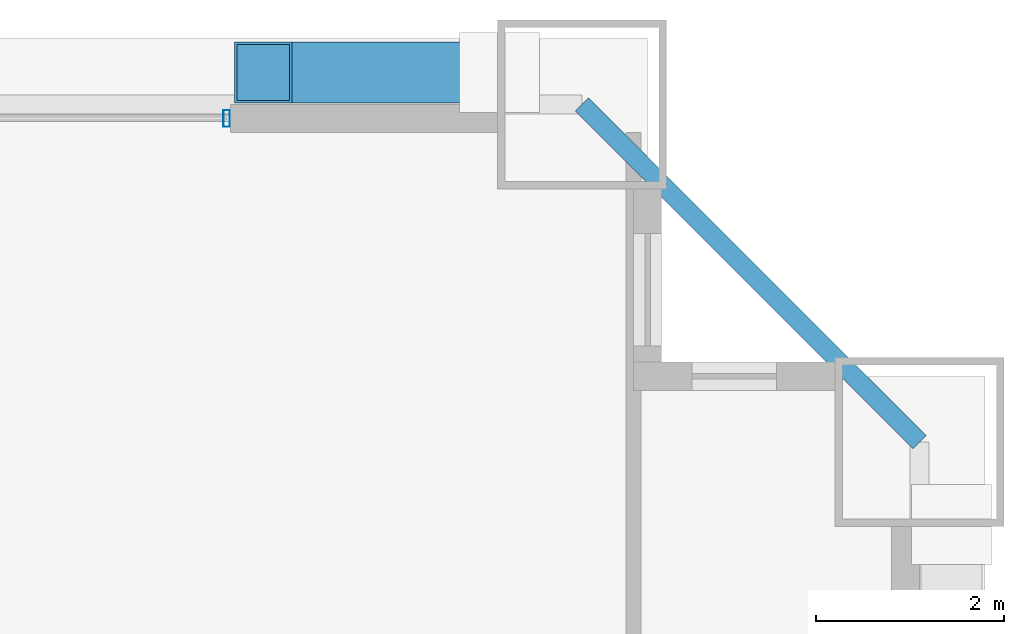
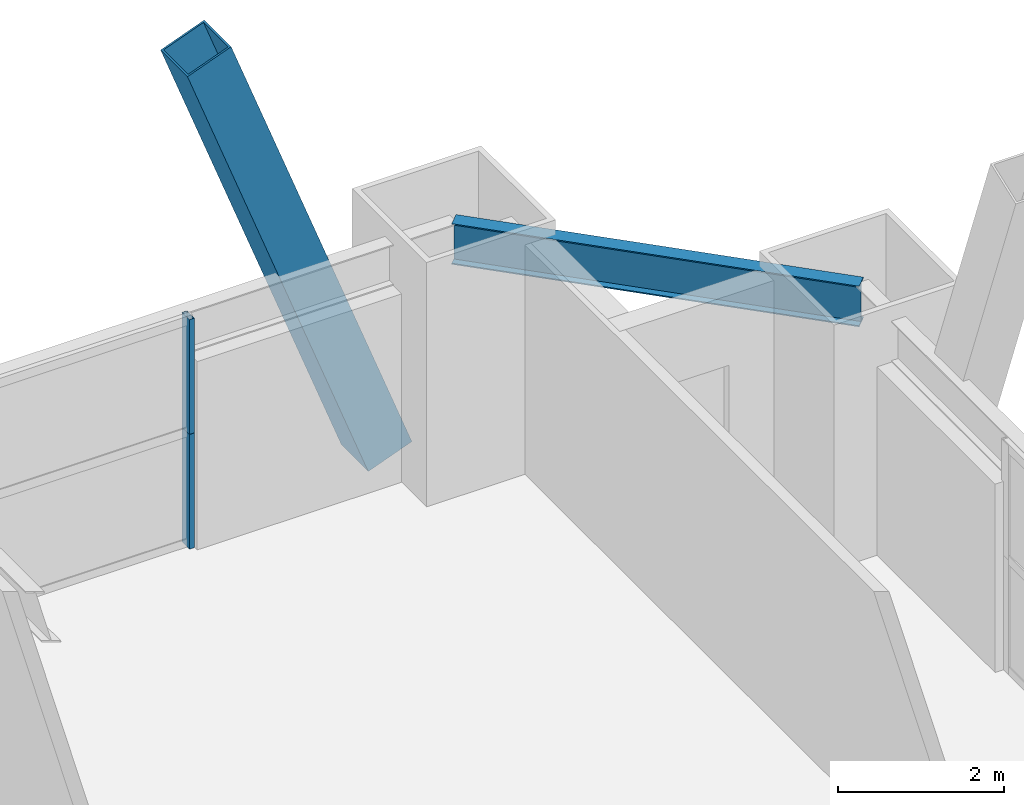
# One storey, part 37 of 43: 3 members, 1 beam, 1 element without a shape of its own.
"""IFC4 building model written with IfcOpenShell, lengths in metres."""

from ifc_helpers import new_model, si_unit, direction, frame, origin, origin_2d, place, context, subcontext, project, spatial, hollow_rectangle, i_section, extrude, source, transform, mapped, material, layer, layer_set, material_profile, profile_set, type_object, element, aggregate, save


model = new_model("IFC4")

# Units and contexts
model_context = context("Model", 3, precision=1e-05, world=origin(), true_north=direction((0.0, 1.0)))
body_context = subcontext(model_context, "Body", "Model", "MODEL_VIEW")
ifc_project = project(units=[si_unit("LENGTHUNIT", "METRE"), si_unit("AREAUNIT", "SQUARE_METRE"), si_unit("VOLUMEUNIT", "CUBIC_METRE"), si_unit("PLANEANGLEUNIT", "RADIAN"), si_unit("MASSUNIT", "GRAM", prefix="KILO"), si_unit("THERMODYNAMICTEMPERATUREUNIT", "KELVIN"), si_unit("POWERUNIT", "WATT")], contexts=[model_context])

# Site, building, storey
site_placement = place(None, origin())
site = spatial("IfcSite", under=ifc_project, at=site_placement, CompositionType="ELEMENT")
building_placement = place(site_placement, origin())
building = spatial("IfcBuilding", under=site, at=building_placement, Name="Yuzanri Waterfront Tower", CompositionType="ELEMENT")
storey_placement = place(building_placement, frame((0.0, 0.0, 74.800048828125)))
storey = spatial("IfcBuildingStorey", under=building, at=storey_placement, Name="L19", CompositionType="ELEMENT", Elevation=74.800048828125)

# Beam
ifc_material_1 = material(Name="Steel Q355B", Category="steel")
ifc_material_profile_1 = material_profile(ifc_material_1, i_section(OverallWidth=0.199951171875, OverallDepth=0.60009765625, WebThickness=0.010986328125, FlangeThickness=0.01708984375, at=origin_2d()), Name="HN 600x200x11x17")
ifc_profile_set_1 = profile_set([ifc_material_profile_1], Name="Steel Q355B")
beam_type = type_object("IfcBeamType", Name="Perimeter Spandrel Q355B HN 600x200", PredefinedType="SPANDREL", material=ifc_profile_set_1)
shared_shape_1 = source(origin(), body_context, "Body", "SweptSolid", [
    extrude(i_section(OverallWidth=0.199951171875, OverallDepth=0.60009765625, WebThickness=0.010986328125, FlangeThickness=0.01708984375, at=origin_2d()), origin(), (0.0, 0.0, 1.0), 5.091064453125),
])
beam_placement = place(storey_placement, frame((62.10009765625, 47.300048828125, 3.079833984375), z_axis=(-0.707130757816, 0.707082803744, 0.0), x_axis=(-0.707082803744, -0.707130757816, 0.0)))
element("IfcBeam", 1, at=beam_placement, inside=storey, type_object=beam_type, Name="L19 Perimeter Spandrel E3-N3", PredefinedType="SPANDREL", context=body_context, shape_type="MappedRepresentation", body=[
    mapped(shared_shape_1, transform((0.0, 0.0, 0.0), scale=1.0)),
])

# Member
ifc_material_2 = material(Name="Steel Q420GJC", Category="steel")
ifc_material_profile_2 = material_profile(ifc_material_2, hollow_rectangle(XDim=0.64990234375, YDim=0.64990234375, WallThickness=0.028076171875, at=origin_2d()), Name="RHS 650x650x28")
ifc_profile_set_2 = profile_set([ifc_material_profile_2], Name="Steel Q420GJC")
member_type_1 = type_object("IfcMemberType", Name="Mega Brace Lower Q420GJC RHS 650x650x28", PredefinedType="BRACE", material=ifc_profile_set_2)
shared_shape_2 = source(origin(), body_context, "Body", "SweptSolid", [
    extrude(hollow_rectangle(XDim=0.64990234375, YDim=0.64990234375, WallThickness=0.028076171875, at=origin_2d()), origin(), (0.0, 0.0, 1.0), 7.158203125),
])
member_1_placement = place(storey_placement, frame((57.6201171875, 51.239990234375, 0.179931640625), z_axis=(-0.352046480343, 0.0, 0.935982518896), x_axis=(0.0, -1.0, 0.0)))
element("IfcMember", 2, at=member_1_placement, inside=storey, type_object=member_type_1, Name="L19-L20 Perimeter Mega-Brace N-R", PredefinedType="BRACE", context=body_context, shape_type="MappedRepresentation", body=[
    mapped(shared_shape_2, transform((0.0, 0.0, 0.0), scale=1.0)),
])

# Curtain wall, members
ifc_material_3 = material(Name="Anodized Architectural Bronze", Category="metal")
ifc_layer = layer(ifc_material_3, 0.159912109375)
ifc_layer_set = layer_set([ifc_layer], Name="Anodized Architectural Bronze")
curtain_wall_type = type_object("IfcCurtainWallType", Name="Anodized Bronze Hotel Lower-Tier Recessed Unitized Curtain Wall 8100", PredefinedType="NOTDEFINED", material=ifc_layer_set)
curtain_wall_placement = place(storey_placement, origin())
curtain_wall = element("IfcCurtainWall", 3, at=curtain_wall_placement, inside=storey, type_object=curtain_wall_type, Name="L19 Curtain Wall CW-L19-NR", PredefinedType="NOTDEFINED")
ifc_material_4 = material(Name="Anodized Architectural Bronze", Category="metal")
ifc_material_profile_3 = material_profile(ifc_material_4, hollow_rectangle(XDim=0.070068359375, YDim=0.179931640625, WallThickness=0.00390625, at=origin_2d()), Name="CWM 70x180")
ifc_profile_set_3 = profile_set([ifc_material_profile_3], Name="Anodized Architectural Bronze")
member_type_2 = type_object("IfcMemberType", Name="Anodized Bronze Standard Curtain-Wall Mullion 70x180", PredefinedType="MULLION", material=ifc_profile_set_3)
shared_shape_3 = source(origin(), body_context, "Body", "SweptSolid", [
    extrude(hollow_rectangle(XDim=0.070068359375, YDim=0.179931640625, WallThickness=0.00390625, at=origin_2d()), origin(), (0.0, 0.0, 1.0), 1.68798828125),
])
member_2_placement = place(storey_placement, frame((54.7099609375, 50.75, 0.0), z_axis=(0.0, 0.0, 1.0), x_axis=(1.0, 0.0, 0.0)))
member_2 = element("IfcMember", 4, at=member_2_placement, type_object=member_type_2, Name="CW-L19-NR Lower Mullion 02", PredefinedType="MULLION", context=body_context, shape_type="MappedRepresentation", body=[
    mapped(shared_shape_3, transform((0.0, 0.0, 0.0), scale=1.0)),
])
member_3_placement = place(storey_placement, frame((54.7099609375, 50.75, 1.69189453125), z_axis=(0.0, 0.0, 1.0), x_axis=(1.0, 0.0, 0.0)))
member_3 = element("IfcMember", 5, at=member_3_placement, type_object=member_type_2, Name="CW-L19-NR Upper Mullion 02", PredefinedType="MULLION", context=body_context, shape_type="MappedRepresentation", body=[
    mapped(shared_shape_3, transform((0.0, 0.0, 0.0), scale=1.0)),
])
aggregate(curtain_wall, [member_2, member_3])

save(model, "model.ifc")
